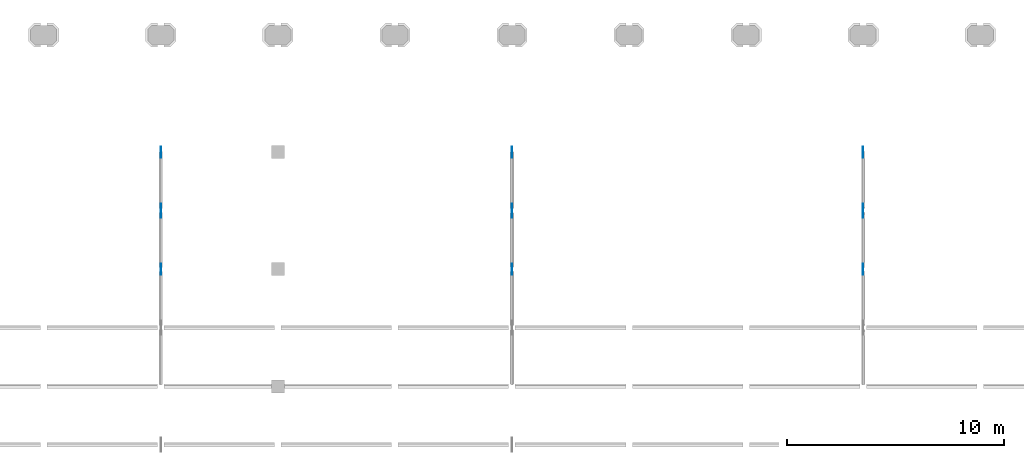
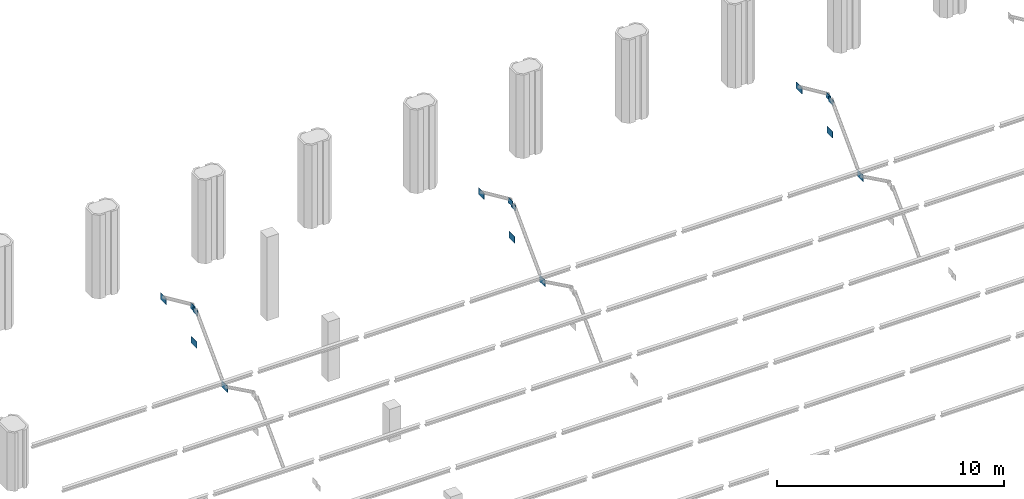
# One storey, part 18 of 23: 15 discrete accessories.
"""IFC4 building model written with IfcOpenShell, lengths in metres."""

from ifc_helpers import new_model, si_unit, direction, frame, origin, origin_2d, place, context, subcontext, project, spatial, rectangle, extrude, material, layer, layer_set, type_object, element, save


model = new_model("IFC4")

# Units and contexts
model_context = context("Model", 3, precision=1e-05, world=origin(), true_north=direction((0.0, 1.0)))
body_context = subcontext(model_context, "Body", "Model", "MODEL_VIEW")
ifc_project = project(units=[si_unit("LENGTHUNIT", "METRE"), si_unit("AREAUNIT", "SQUARE_METRE"), si_unit("VOLUMEUNIT", "CUBIC_METRE"), si_unit("PLANEANGLEUNIT", "RADIAN"), si_unit("MASSUNIT", "GRAM", prefix="KILO")], contexts=[model_context])

# Site, building, storey
site_placement = place(None, origin())
site = spatial("IfcSite", under=ifc_project, at=site_placement, CompositionType="ELEMENT")
building_placement = place(site_placement, origin())
building = spatial("IfcBuilding", under=site, at=building_placement, Name="Tabaq Tower and Sports Hall", CompositionType="ELEMENT")
storey_placement = place(building_placement, frame((0.0, 0.0, 29.10009765625)))
storey = spatial("IfcBuildingStorey", under=building, at=storey_placement, Name="L05", CompositionType="ELEMENT", Elevation=29.10009765625)

# Discrete accessories
ifc_material_1 = material(Name="Steel S355", Category="steel")
ifc_layer_1 = layer(ifc_material_1, 0.02001953125)
ifc_layer_set_1 = layer_set([ifc_layer_1], Name="ROOF TRUSS BEARING PLATE 400x300x20 S355")
discrete_accessory_type_1 = type_object("IfcDiscreteAccessoryType", Name="ROOF TRUSS BEARING PLATE 400x300x20 S355", PredefinedType="ANCHORPLATE", material=ifc_layer_set_1)
for number, where, z_axis, x_axis, name in (
    (1, (75.60009765625, 34.97998046875, 3.69482421875), (0.0, 0.0, 1.0), (1.0, 0.0, 0.0), "Roof truss 1 bearing plate 09"),
    (2, (75.60009765625, 35.219970703125, 3.75927734375), (0.0, 0.0, 1.0), (1.0, 0.0, 0.0), "Roof truss 1 bearing plate 10"),
    (3, (91.800048828125, 34.97998046875, 3.69482421875), (0.0, 0.0, 1.0), (1.0, 0.0, 0.0), "Roof truss 2 bearing plate 09"),
    (4, (91.800048828125, 35.219970703125, 3.75927734375), (0.0, 0.0, 1.0), (1.0, 0.0, 0.0), "Roof truss 2 bearing plate 10"),
    (5, (108.0, 34.97998046875, 3.69482421875), (0.0, 0.0, 1.0), (1.0, 0.0, 0.0), "Roof truss 3 bearing plate 09"),
    (6, (108.0, 35.219970703125, 3.75927734375), (0.0, 0.0, 1.0), (1.0, 0.0, 0.0), "Roof truss 3 bearing plate 10"),
):
    element("IfcDiscreteAccessory", number, at=place(storey_placement, frame(where, z_axis=z_axis, x_axis=x_axis)), inside=storey, type_object=discrete_accessory_type_1, Name=name, PredefinedType="ANCHORPLATE", context=body_context, shape_type="SweptSolid", body=[
        extrude(rectangle(XDim=0.02001953125, YDim=0.39990234375, at=origin_2d()), origin(), (0.0, 0.0, 1.0), 0.300048828125),
    ])
ifc_material_2 = material(Name="Steel S355", Category="steel")
ifc_layer_2 = layer(ifc_material_2, 0.02001953125)
ifc_layer_set_2 = layer_set([ifc_layer_2], Name="ROOF TRUSS NODE PLATE 500x350x20 S355")
discrete_accessory_type_2 = type_object("IfcDiscreteAccessoryType", Name="ROOF TRUSS NODE PLATE 500x350x20 S355", PredefinedType="ANCHORPLATE", material=ifc_layer_set_2)
for number, where, z_axis, x_axis, name in (
    (7, (75.60009765625, 32.39990234375, 1.1884765625), (0.0, 0.0, 1.0), (1.0, 0.0, 0.0), "Roof truss 1 node plate 09"),
    (8, (75.60009765625, 35.10009765625, 1.912109375), (0.0, 0.0, 1.0), (1.0, 0.0, 0.0), "Roof truss 1 node plate 10"),
    (9, (75.60009765625, 37.800048828125, 2.635498046875), (0.0, 0.0, 1.0), (1.0, 0.0, 0.0), "Roof truss 1 node plate 11"),
    (10, (91.800048828125, 32.39990234375, 1.1884765625), (0.0, 0.0, 1.0), (1.0, 0.0, 0.0), "Roof truss 2 node plate 09"),
    (11, (91.800048828125, 35.10009765625, 1.912109375), (0.0, 0.0, 1.0), (1.0, 0.0, 0.0), "Roof truss 2 node plate 10"),
    (12, (91.800048828125, 37.800048828125, 2.635498046875), (0.0, 0.0, 1.0), (1.0, 0.0, 0.0), "Roof truss 2 node plate 11"),
    (13, (108.0, 32.39990234375, 1.1884765625), (0.0, 0.0, 1.0), (1.0, 0.0, 0.0), "Roof truss 3 node plate 09"),
    (14, (108.0, 35.10009765625, 1.912109375), (0.0, 0.0, 1.0), (1.0, 0.0, 0.0), "Roof truss 3 node plate 10"),
    (15, (108.0, 37.800048828125, 2.635498046875), (0.0, 0.0, 1.0), (1.0, 0.0, 0.0), "Roof truss 3 node plate 11"),
):
    element("IfcDiscreteAccessory", number, at=place(storey_placement, frame(where, z_axis=z_axis, x_axis=x_axis)), inside=storey, type_object=discrete_accessory_type_2, Name=name, PredefinedType="ANCHORPLATE", context=body_context, shape_type="SweptSolid", body=[
        extrude(rectangle(XDim=0.02001953125, YDim=0.5, at=origin_2d()), origin(), (0.0, 0.0, 1.0), 0.35009765625),
    ])

save(model, "model.ifc")
